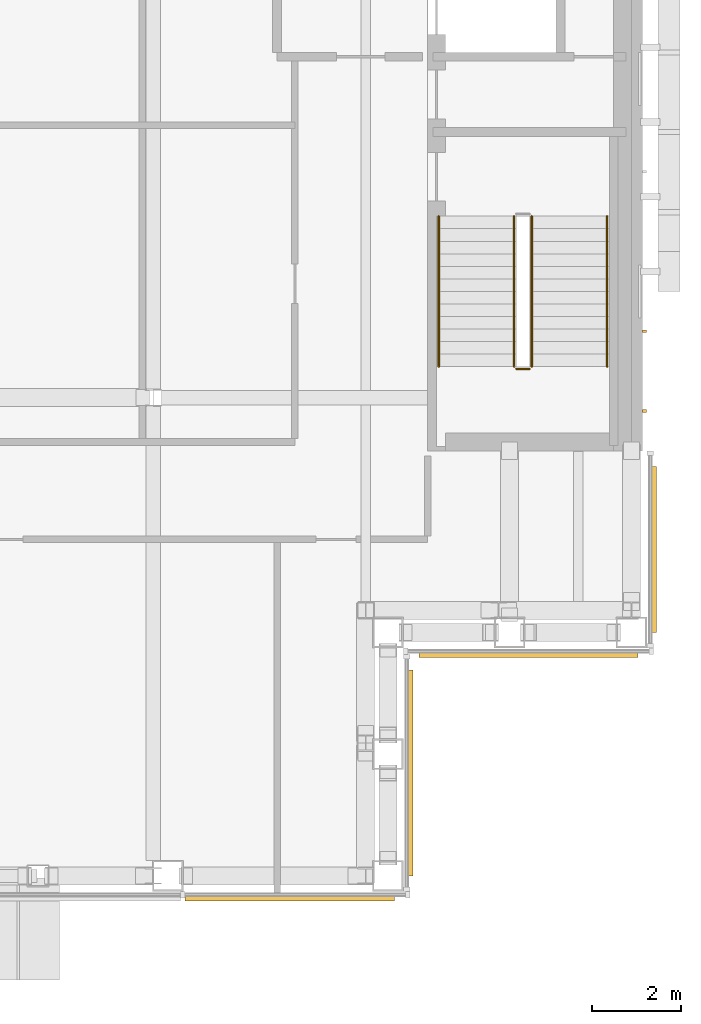
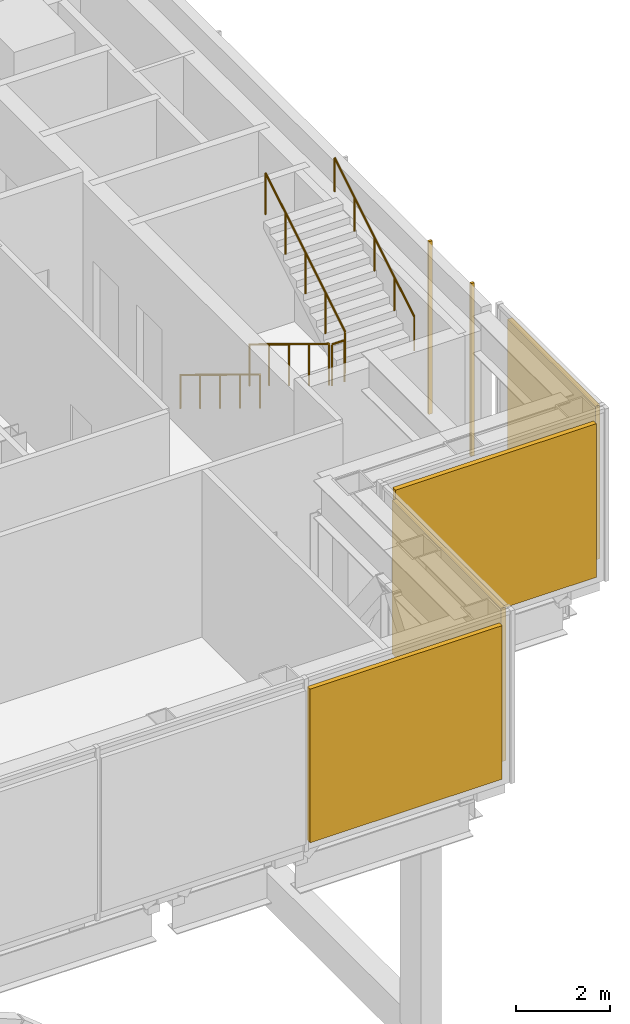
# One storey, part 21 of 26: 6 coverings, 5 railings.
"""IFC4 building model written with IfcOpenShell, lengths in metres."""

from ifc_helpers import new_model, si_unit, direction, frame, origin, origin_2d, place, context, subcontext, project, spatial, rectangle, circle, extrude, material, type_object, element, save


model = new_model("IFC4")

# Units and contexts
model_context = context("Model", 3, precision=1e-05, world=origin(), true_north=direction((0.0, 1.0)))
body_context = subcontext(model_context, "Body", "Model", "MODEL_VIEW")
ifc_project = project(units=[si_unit("LENGTHUNIT", "METRE"), si_unit("AREAUNIT", "SQUARE_METRE"), si_unit("VOLUMEUNIT", "CUBIC_METRE"), si_unit("PLANEANGLEUNIT", "RADIAN"), si_unit("MASSUNIT", "GRAM", prefix="KILO")], contexts=[model_context])

# Site, building, storey
site_placement = place(None, origin())
site = spatial("IfcSite", under=ifc_project, at=site_placement, CompositionType="ELEMENT")
building_placement = place(site_placement, origin())
building = spatial("IfcBuilding", under=site, at=building_placement, Name="Cobrizo Arcos Hotel Tower", CompositionType="ELEMENT")
storey_placement = place(building_placement, frame((0.0, 0.0, 236.5)))
storey = spatial("IfcBuildingStorey", under=building, at=storey_placement, Name="L62", CompositionType="ELEMENT", Elevation=236.5)

# Coverings
ifc_material_1 = material(Name="Aluminium 6063-T6 anodised bronze", Category="aluminium")
covering_type_1 = type_object("IfcCoveringType", Name="LV-1 plant louvre band", PredefinedType="CLADDING", material=ifc_material_1)
covering_1_placement = place(storey_placement, frame((12.683349609375, -20.905029296875, 0.25), z_axis=(0.0, 0.0, 1.0), x_axis=(1.0, 0.0, 0.0)))
element("IfcCovering", 1, at=covering_1_placement, inside=storey, type_object=covering_type_1, Name="louvre band 1993", PredefinedType="CLADDING", context=body_context, shape_type="SweptSolid", body=[
    extrude(rectangle(XDim=4.7333984375, YDim=0.1201171875, at=origin_2d()), origin(), (0.0, 0.0, 1.0), 4.0),
])
covering_2_placement = place(storey_placement, frame((15.405029296875, -18.074951171875, 0.25), z_axis=(0.0, 0.0, 1.0), x_axis=(0.0, 1.0, 0.0)))
element("IfcCovering", 2, at=covering_2_placement, inside=storey, type_object=covering_type_1, Name="louvre band 1994", PredefinedType="CLADDING", context=body_context, shape_type="SweptSolid", body=[
    extrude(rectangle(XDim=4.64990234375, YDim=0.1201171875, at=origin_2d()), origin(), (0.0, 0.0, 1.0), 4.0),
])
covering_3_placement = place(storey_placement, frame((18.074951171875, -15.405029296875, 0.25), z_axis=(0.0, 0.0, 1.0), x_axis=(1.0, 0.0, 0.0)))
element("IfcCovering", 3, at=covering_3_placement, inside=storey, type_object=covering_type_1, Name="louvre band 1995", PredefinedType="CLADDING", context=body_context, shape_type="SweptSolid", body=[
    extrude(rectangle(XDim=4.949951171875, YDim=0.1201171875, at=origin_2d()), origin(), (0.0, 0.0, 1.0), 4.0),
])
covering_4_placement = place(storey_placement, frame((20.905029296875, -13.02490234375, 0.25), z_axis=(0.0, 0.0, 1.0), x_axis=(0.0, 1.0, 0.0)))
element("IfcCovering", 4, at=covering_4_placement, inside=storey, type_object=covering_type_1, Name="louvre band 1996", PredefinedType="CLADDING", context=body_context, shape_type="SweptSolid", body=[
    extrude(rectangle(XDim=3.75, YDim=0.1201171875, at=origin_2d()), origin(), (0.0, 0.0, 1.0), 4.0),
])
ifc_material_2 = material(Name="Aluminium 6063-T6 anodised pale", Category="aluminium")
covering_type_2 = type_object("IfcCoveringType", Name="RS-1 rainscreen rib 60x90", PredefinedType="CLADDING", material=ifc_material_2)
for number, where, z_axis, x_axis, name in (
    (5, (20.695068359375, -9.89990234375, 0.0), (0.0, 0.0, 1.0), (0.0, 1.0, 0.0), "Rainscreen rib 81"),
    (6, (20.695068359375, -8.10009765625, 0.0), (0.0, 0.0, 1.0), (0.0, 1.0, 0.0), "Rainscreen rib 82"),
):
    element("IfcCovering", number, at=place(storey_placement, frame(where, z_axis=z_axis, x_axis=x_axis)), inside=storey, type_object=covering_type_2, Name=name, PredefinedType="CLADDING", context=body_context, shape_type="SweptSolid", body=[
        extrude(rectangle(XDim=0.06005859375, YDim=0.090087890625, at=origin_2d()), origin(), (0.0, 0.0, 1.0), 4.5),
    ])

# Railings
ifc_material_3 = material(Name="Stainless steel railing", Category="steel")
railing_type_1 = type_object("IfcRailingType", Name="Stair guard 1100", PredefinedType="GUARDRAIL", material=ifc_material_3)
railing_1_placement = place(storey_placement, frame((17.75, -5.5, 0.173095703125)))
element("IfcRailing", 7, at=railing_1_placement, inside=storey, type_object=railing_type_1, Name="L62 ST-E stair guard 1", PredefinedType="GUARDRAIL", context=body_context, shape_type="SweptSolid", body=[
    extrude(circle(Radius=0.02392578125, at=origin_2d()), frame((0.0, 0.0, 1.076171875), z_axis=(0.0, -0.853372706543, 0.52130127923), x_axis=(1.0, 0.0, 0.0)), (0.0, 0.0, 1.0), 3.984130859375),
    extrude(circle(Radius=0.02099609375, at=origin_2d()), origin(), (0.0, 0.0, 1.0), 1.052001953125),
    extrude(circle(Radius=0.02099609375, at=origin_2d()), frame((0.0, -0.85009765625, 0.519287109375)), (0.0, 0.0, 1.0), 1.052001953125),
    extrude(circle(Radius=0.02099609375, at=origin_2d()), frame((0.0, -1.699951171875, 1.03857421875)), (0.0, 0.0, 1.0), 1.052001953125),
    extrude(circle(Radius=0.02099609375, at=origin_2d()), frame((0.0, -2.5498046875, 1.5576171875)), (0.0, 0.0, 1.0), 1.052001953125),
    extrude(circle(Radius=0.02099609375, at=origin_2d()), frame((0.0, -3.39990234375, 2.076904296875)), (0.0, 0.0, 1.0), 1.052001953125),
])
railing_2_placement = place(storey_placement, frame((17.800048828125, -8.949951171875, 2.25)))
element("IfcRailing", 8, at=railing_2_placement, inside=storey, type_object=railing_type_1, Name="L62 ST-E stair guard 2", PredefinedType="GUARDRAIL", context=body_context, shape_type="SweptSolid", body=[
    extrude(circle(Radius=0.02392578125, at=origin_2d()), frame((0.0, 0.0, 1.076171875), z_axis=(1.0, 0.0, 0.0), x_axis=(0.0, 1.0, 0.0)), (0.0, 0.0, 1.0), 0.300048828125),
    extrude(circle(Radius=0.02099609375, at=origin_2d()), origin(), (0.0, 0.0, 1.0), 1.052001953125),
    extrude(circle(Radius=0.02099609375, at=origin_2d()), frame((0.300048828125, 0.0, 0.0)), (0.0, 0.0, 1.0), 1.052001953125),
])
railing_3_placement = place(storey_placement, frame((18.14990234375, -8.89990234375, 2.423095703125)))
element("IfcRailing", 9, at=railing_3_placement, inside=storey, type_object=railing_type_1, Name="L62 ST-E stair guard 3", PredefinedType="GUARDRAIL", context=body_context, shape_type="SweptSolid", body=[
    extrude(circle(Radius=0.02392578125, at=origin_2d()), frame((0.0, 0.0, 1.076171875), z_axis=(0.0, 0.853372706543, 0.52130127923), x_axis=(-1.0, 0.0, 0.0)), (0.0, 0.0, 1.0), 3.984130859375),
    extrude(circle(Radius=0.02099609375, at=origin_2d()), origin(), (0.0, 0.0, 1.0), 1.052001953125),
    extrude(circle(Radius=0.02099609375, at=origin_2d()), frame((0.0, 0.85009765625, 0.519287109375)), (0.0, 0.0, 1.0), 1.052001953125),
    extrude(circle(Radius=0.02099609375, at=origin_2d()), frame((0.0, 1.699951171875, 1.03857421875)), (0.0, 0.0, 1.0), 1.052001953125),
    extrude(circle(Radius=0.02099609375, at=origin_2d()), frame((0.0, 2.5498046875, 1.5576171875)), (0.0, 0.0, 1.0), 1.052001953125),
    extrude(circle(Radius=0.02099609375, at=origin_2d()), frame((0.0, 3.39990234375, 2.076904296875)), (0.0, 0.0, 1.0), 1.052001953125),
])
railing_type_2 = type_object("IfcRailingType", Name="Stair handrail", PredefinedType="HANDRAIL", material=ifc_material_3)
railing_4_placement = place(storey_placement, frame((16.050048828125, -5.5, 0.173095703125)))
element("IfcRailing", 10, at=railing_4_placement, inside=storey, type_object=railing_type_2, Name="L62 ST-E stair handrail 1", PredefinedType="HANDRAIL", context=body_context, shape_type="SweptSolid", body=[
    extrude(circle(Radius=0.02392578125, at=origin_2d()), frame((0.0, 0.0, 0.8759765625), z_axis=(0.0, -0.853372706543, 0.52130127923), x_axis=(1.0, 0.0, 0.0)), (0.0, 0.0, 1.0), 3.984130859375),
    extrude(circle(Radius=0.02099609375, at=origin_2d()), origin(), (0.0, 0.0, 1.0), 0.851806640625),
    extrude(circle(Radius=0.02099609375, at=origin_2d()), frame((0.0, -0.85009765625, 0.519287109375)), (0.0, 0.0, 1.0), 0.851806640625),
    extrude(circle(Radius=0.02099609375, at=origin_2d()), frame((0.0, -1.699951171875, 1.03857421875)), (0.0, 0.0, 1.0), 0.851806640625),
    extrude(circle(Radius=0.02099609375, at=origin_2d()), frame((0.0, -2.5498046875, 1.5576171875)), (0.0, 0.0, 1.0), 0.851806640625),
    extrude(circle(Radius=0.02099609375, at=origin_2d()), frame((0.0, -3.39990234375, 2.076904296875)), (0.0, 0.0, 1.0), 0.851806640625),
])
railing_5_placement = place(storey_placement, frame((19.85009765625, -8.89990234375, 2.423095703125)))
element("IfcRailing", 11, at=railing_5_placement, inside=storey, type_object=railing_type_2, Name="L62 ST-E stair handrail 2", PredefinedType="HANDRAIL", context=body_context, shape_type="SweptSolid", body=[
    extrude(circle(Radius=0.02392578125, at=origin_2d()), frame((0.0, 0.0, 0.8759765625), z_axis=(0.0, 0.853372706543, 0.52130127923), x_axis=(-1.0, 0.0, 0.0)), (0.0, 0.0, 1.0), 3.984130859375),
    extrude(circle(Radius=0.02099609375, at=origin_2d()), origin(), (0.0, 0.0, 1.0), 0.851806640625),
    extrude(circle(Radius=0.02099609375, at=origin_2d()), frame((0.0, 0.85009765625, 0.519287109375)), (0.0, 0.0, 1.0), 0.851806640625),
    extrude(circle(Radius=0.02099609375, at=origin_2d()), frame((0.0, 1.699951171875, 1.03857421875)), (0.0, 0.0, 1.0), 0.851806640625),
    extrude(circle(Radius=0.02099609375, at=origin_2d()), frame((0.0, 2.5498046875, 1.5576171875)), (0.0, 0.0, 1.0), 0.851806640625),
    extrude(circle(Radius=0.02099609375, at=origin_2d()), frame((0.0, 3.39990234375, 2.076904296875)), (0.0, 0.0, 1.0), 0.851806640625),
])

save(model, "model.ifc")
